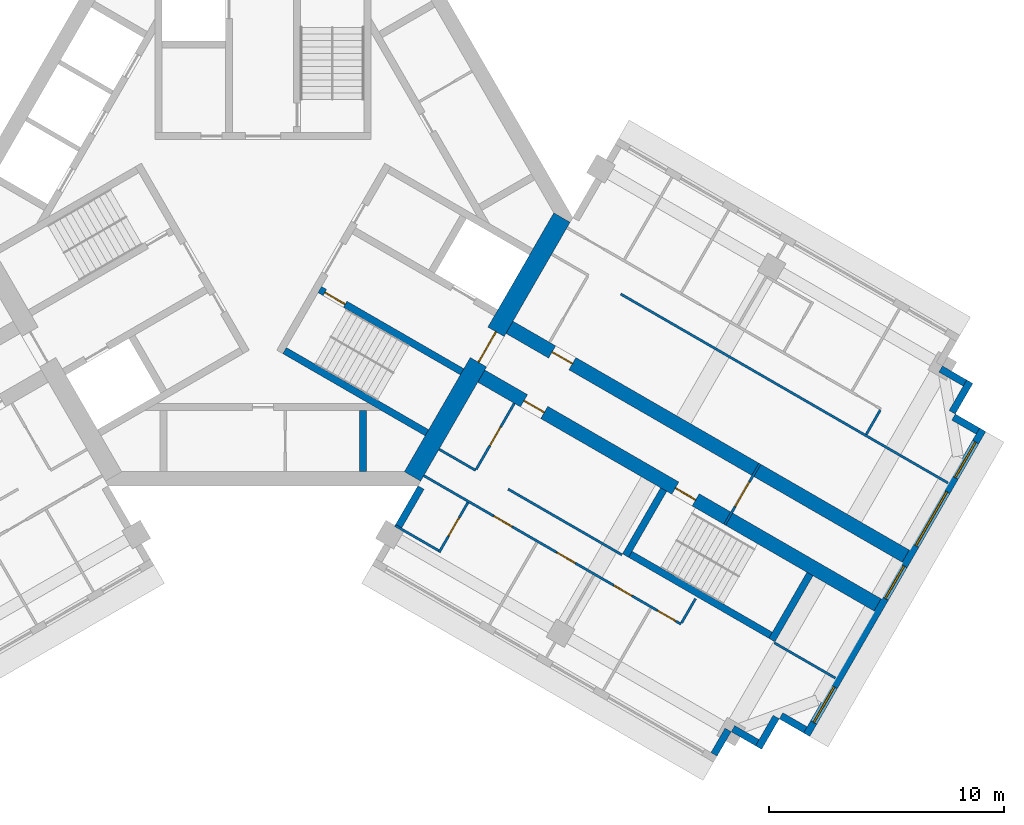
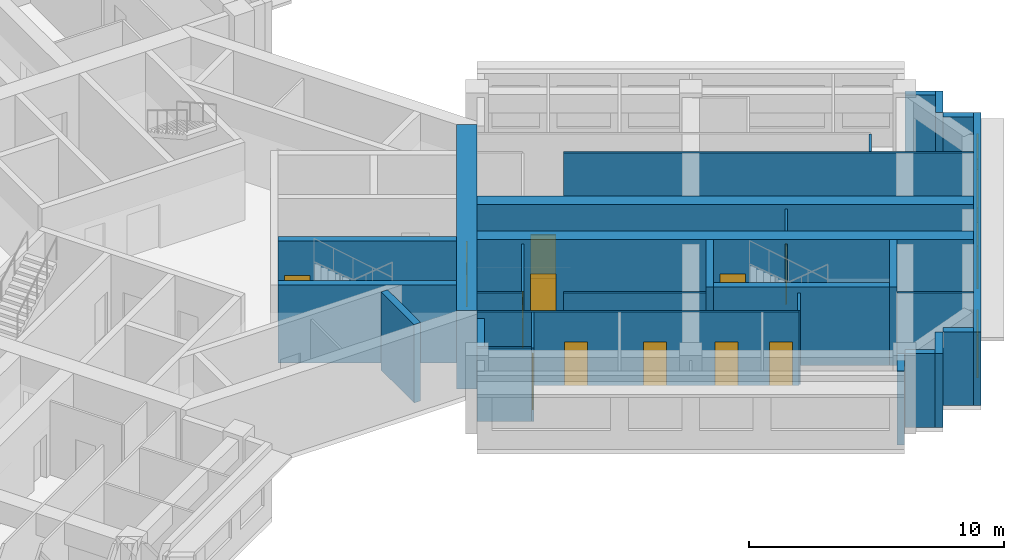
# One storey, part 5 of 10: 29 walls, 12 doors, 4 windows, 16 openings.
"""IFC4 building model written with IfcOpenShell, lengths in metres."""

from ifc_helpers import new_model, si_unit, direction, frame, frame_2d, origin, place, context, subcontext, project, spatial, rectangle, extrude, material, layer, layer_set, type_object, element, fill, save


model = new_model("IFC4")

# Units and contexts
model_context = context("Model", 3, precision=1e-05, world=origin(), true_north=direction((0.0, 1.0)))
body_context = subcontext(model_context, "Body", "Model", "MODEL_VIEW")
ifc_project = project(units=[si_unit("LENGTHUNIT", "METRE"), si_unit("AREAUNIT", "SQUARE_METRE"), si_unit("VOLUMEUNIT", "CUBIC_METRE"), si_unit("PLANEANGLEUNIT", "RADIAN"), si_unit("MASSUNIT", "GRAM", prefix="KILO")], contexts=[model_context])

# Site, building, storey
site_placement = place(None, origin())
site = spatial("IfcSite", under=ifc_project, at=site_placement, CompositionType="ELEMENT")
building_placement = place(site_placement, origin())
building = spatial("IfcBuilding", under=site, at=building_placement, Name="Impinga Residences", CompositionType="ELEMENT")
storey_placement = place(building_placement, frame((0.0, 0.0, 271.0)))
storey = spatial("IfcBuildingStorey", under=building, at=storey_placement, Name="L68", CompositionType="ELEMENT", Elevation=271.0)

# Wall, opening, door
ifc_material_1 = material(Name="Concrete C60/75", Category="concrete")
ifc_layer_1 = layer(ifc_material_1, 0.60009765625)
ifc_layer_set_1 = layer_set([ifc_layer_1], Name="Concrete C60/75")
wall_type_1 = type_object("IfcWallType", Name="BW3 corridor buttress wall, L46 to L73 600", PredefinedType="SHEAR", material=ifc_layer_set_1)
wall_1_placement = place(storey_placement, frame((10.153564453125, -4.4765625, 0.0), z_axis=(0.0, 0.0, 1.0), x_axis=(0.866026229868, -0.499998569178, 0.0)))
wall_1 = element("IfcWall", 1, at=wall_1_placement, inside=storey, type_object=wall_type_1, Name="Corridor wall BW3 EC L68", PredefinedType="SHEAR", context=body_context, shape_type="SweptSolid", body=[
    extrude(rectangle(XDim=19.89990234375, YDim=0.60009765625, at=frame_2d((9.949951171875, 0.0))), origin(), (0.0, 0.0, 1.0), 3.75),
])
opening_1_placement = place(wall_1_placement, frame((2.5, 0.0, 0.0)))
opening_1 = element("IfcOpeningElement", 2, at=opening_1_placement, cuts=wall_1, Name="Opening D1", PredefinedType="OPENING", context=body_context, shape_type="SweptSolid", body=[
    extrude(rectangle(XDim=1.0, YDim=2.10009765625, at=frame_2d((0.5, 1.050048828125))), frame((0.0, 0.31005859375, 0.0), z_axis=(0.0, -1.0, 0.0), x_axis=(1.0, 0.0, 0.0)), (0.0, 0.0, 1.0), 0.6201171875),
])
ifc_material_2 = material(Name="Timber door set", Category="wood")
door_type_1 = type_object("IfcDoorType", Name="D1 apartment entrance door 1000x2100", OperationType="SINGLE_SWING_LEFT", PredefinedType="DOOR", material=ifc_material_2)
door_1_placement = place(opening_1_placement, origin())
door_1 = element("IfcDoor", 3, at=door_1_placement, inside=storey, type_object=door_type_1, Name="Apartment L68-EA1 entrance", OperationType="SINGLE_SWING_LEFT", OverallHeight=2.10009765625, OverallWidth=1.0, PredefinedType="DOOR", context=body_context, shape_type="SweptSolid", body=[
    extrude(rectangle(XDim=1.0, YDim=2.10009765625, at=frame_2d((0.5, 1.050048828125))), frame((0.0, 0.02490234375, 0.0), z_axis=(0.0, -1.0, 0.0), x_axis=(1.0, 0.0, 0.0)), (0.0, 0.0, 1.0), 0.050048828125),
])
fill(opening_1, door_1)

# Wall, openings, doors
wall_2_placement = place(storey_placement, frame((8.95361328125, -6.554931640625, 0.0), z_axis=(0.0, 0.0, 1.0), x_axis=(0.866026229868, -0.499998569178, 0.0)))
wall_2 = element("IfcWall", 4, at=wall_2_placement, inside=storey, type_object=wall_type_1, Name="Corridor wall BW3 ED L68", PredefinedType="SHEAR", context=body_context, shape_type="SweptSolid", body=[
    extrude(rectangle(XDim=19.89990234375, YDim=0.60009765625, at=frame_2d((9.949951171875, 0.0))), origin(), (0.0, 0.0, 1.0), 3.75),
])
opening_2_placement = place(wall_2_placement, frame((9.949951171875, 0.0, 0.0)))
opening_2 = element("IfcOpeningElement", 5, at=opening_2_placement, cuts=wall_2, Name="Opening D5", PredefinedType="OPENING", context=body_context, shape_type="SweptSolid", body=[
    extrude(rectangle(XDim=1.0, YDim=2.10009765625, at=frame_2d((0.5, 1.050048828125))), frame((0.0, 0.31005859375, 0.0), z_axis=(0.0, -1.0, 0.0), x_axis=(1.0, 0.0, 0.0)), (0.0, 0.0, 1.0), 0.6201171875),
])
opening_3_placement = place(wall_2_placement, frame((2.5, 0.0, 0.0)))
opening_3 = element("IfcOpeningElement", 6, at=opening_3_placement, cuts=wall_2, Name="Opening D1", PredefinedType="OPENING", context=body_context, shape_type="SweptSolid", body=[
    extrude(rectangle(XDim=1.0, YDim=2.10009765625, at=frame_2d((0.5, 1.050048828125))), frame((0.0, 0.31005859375, 0.0), z_axis=(0.0, -1.0, 0.0), x_axis=(1.0, 0.0, 0.0)), (0.0, 0.0, 1.0), 0.6201171875),
])
door_2_placement = place(opening_3_placement, origin())
door_2 = element("IfcDoor", 7, at=door_2_placement, inside=storey, type_object=door_type_1, Name="Apartment L68-EF1 entrance", OperationType="SINGLE_SWING_LEFT", OverallHeight=2.10009765625, OverallWidth=1.0, PredefinedType="DOOR", context=body_context, shape_type="SweptSolid", body=[
    extrude(rectangle(XDim=1.0, YDim=2.10009765625, at=frame_2d((0.5, 1.050048828125))), frame((0.0, 0.02490234375, 0.0), z_axis=(0.0, -1.0, 0.0), x_axis=(1.0, 0.0, 0.0)), (0.0, 0.0, 1.0), 0.050048828125),
])
fill(opening_3, door_2)
door_type_2 = type_object("IfcDoorType", Name="D5 stair door 1000x2100", OperationType="SINGLE_SWING_LEFT", PredefinedType="DOOR", material=ifc_material_2)
door_3_placement = place(opening_2_placement, origin())
door_3 = element("IfcDoor", 8, at=door_3_placement, inside=storey, type_object=door_type_2, Name="Wing stair door E", OperationType="SINGLE_SWING_RIGHT", OverallHeight=2.10009765625, OverallWidth=1.0, PredefinedType="DOOR", context=body_context, shape_type="SweptSolid", body=[
    extrude(rectangle(XDim=1.0, YDim=2.10009765625, at=frame_2d((0.5, 1.050048828125))), frame((0.0, 0.02490234375, 0.0), z_axis=(0.0, -1.0, 0.0), x_axis=(1.0, 0.0, 0.0)), (0.0, 0.0, 1.0), 0.050048828125),
])
fill(opening_2, door_3)

# Wall, opening, door
ifc_material_3 = material(Name="Concrete blockwork", Category="masonry")
ifc_layer_2 = layer(ifc_material_3, 0.10009765625)
ifc_layer_set_2 = layer_set([ifc_layer_2], Name="CP1 core room partition, blockwork 100")
wall_type_2 = type_object("IfcWallType", Name="CP1 core room partition, blockwork 100", PredefinedType="PARTITIONING", material=ifc_layer_set_2)
wall_3_placement = place(storey_placement, frame((21.172119140625, -10.49169921875, 0.0), z_axis=(0.0, 0.0, 1.0), x_axis=(-0.499990139034, -0.866031096941, 0.0)))
wall_3 = element("IfcWall", 9, at=wall_3_placement, inside=storey, type_object=wall_type_2, Name="Core room partition, blockwork L68:E:LNG", PredefinedType="PARTITIONING", context=body_context, shape_type="SweptSolid", body=[
    extrude(rectangle(XDim=3.0, YDim=0.10009765625, at=frame_2d((1.5, 0.0))), origin(), (0.0, 0.0, 1.0), 3.530029296875),
])
opening_4_placement = place(wall_3_placement, frame((0.89990234375, 0.0, 0.0)))
opening_4 = element("IfcOpeningElement", 10, at=opening_4_placement, cuts=wall_3, Name="Opening D3", PredefinedType="OPENING", context=body_context, shape_type="SweptSolid", body=[
    extrude(rectangle(XDim=1.199951171875, YDim=2.10009765625, at=frame_2d((0.60009765625, 1.050048828125))), frame((0.0, 0.06005859375, 0.0), z_axis=(0.0, -1.0, 0.0), x_axis=(1.0, 0.0, 0.0)), (0.0, 0.0, 1.0), 0.1201171875),
])
door_type_3 = type_object("IfcDoorType", Name="D3 room door, leaf and a half 1200x2100", OperationType="DOUBLE_SWING_LEFT", PredefinedType="DOOR", material=ifc_material_2)
door_4_placement = place(opening_4_placement, origin())
door_4 = element("IfcDoor", 11, at=door_4_placement, inside=storey, type_object=door_type_3, Name="Residents' lounge door E", OperationType="DOUBLE_SWING_LEFT", OverallHeight=2.10009765625, OverallWidth=1.199951171875, PredefinedType="DOOR", context=body_context, shape_type="SweptSolid", body=[
    extrude(rectangle(XDim=1.199951171875, YDim=2.10009765625, at=frame_2d((0.60009765625, 1.050048828125))), frame((0.0, 0.02490234375, 0.0), z_axis=(0.0, -1.0, 0.0), x_axis=(1.0, 0.0, 0.0)), (0.0, 0.0, 1.0), 0.050048828125),
])
fill(opening_4, door_4)

# Walls
ifc_material_4 = material(Name="Terracotta rainscreen on blockwork", Category="masonry")
ifc_layer_3 = layer(ifc_material_4, 0.300048828125)
ifc_layer_set_3 = layer_set([ifc_layer_3], Name="EW1 external wall, terracotta rainscreen on blockwork 300")
wall_type_3 = type_object("IfcWallType", Name="EW1 external wall, terracotta rainscreen on blockwork 300", PredefinedType="SOLIDWALL", material=ifc_layer_set_3)
wall_4_placement = place(storey_placement, frame((28.878662109375, -6.453857421875, 0.0), z_axis=(0.0, 0.0, 1.0), x_axis=(0.865971243484, -0.500093796661, 0.0)))
element("IfcWall", 12, at=wall_4_placement, inside=storey, type_object=wall_type_3, Name="External wall EW1 L68", PredefinedType="SOLIDWALL", context=body_context, shape_type="SweptSolid", body=[
    extrude(rectangle(XDim=1.195068359375, YDim=0.300048828125, at=frame_2d((0.59765625, 0.0))), origin(), (0.0, 0.0, 1.0), 3.530029296875),
])
wall_5_placement = place(storey_placement, frame((30.118408203125, -6.99658203125, 0.0), z_axis=(0.0, 0.0, 1.0), x_axis=(-0.499990139034, -0.866031096941, 0.0)))
element("IfcWall", 13, at=wall_5_placement, inside=storey, type_object=wall_type_3, Name="External wall EW1 L68", PredefinedType="SOLIDWALL", context=body_context, shape_type="SweptSolid", body=[
    extrude(rectangle(XDim=1.5, YDim=0.300048828125, at=frame_2d((0.75, 0.0))), origin(), (0.0, 0.0, 1.0), 3.530029296875),
])
wall_6_placement = place(storey_placement, frame((29.427490234375, -8.5029296875, 0.0), z_axis=(0.0, 0.0, 1.0), x_axis=(0.865971243484, -0.500093796661, 0.0)))
element("IfcWall", 14, at=wall_6_placement, inside=storey, type_object=wall_type_3, Name="External wall EW1 L68", PredefinedType="SOLIDWALL", context=body_context, shape_type="SweptSolid", body=[
    extrude(rectangle(XDim=1.195068359375, YDim=0.300048828125, at=frame_2d((0.59765625, 0.0))), origin(), (0.0, 0.0, 1.0), 3.530029296875),
])

# Wall, openings, windows
wall_7_placement = place(storey_placement, frame((30.66748046875, -9.045654296875, 0.0), z_axis=(0.0, 0.0, 1.0), x_axis=(-0.500004234368, -0.866022959057, 0.0)))
wall_7 = element("IfcWall", 15, at=wall_7_placement, inside=storey, type_object=wall_type_3, Name="External wall EW1 L68", PredefinedType="SOLIDWALL", context=body_context, shape_type="SweptSolid", body=[
    extrude(rectangle(XDim=14.999755859375, YDim=0.300048828125, at=frame_2d((7.5, 0.0))), origin(), (0.0, 0.0, 1.0), 3.530029296875),
])
opening_5_placement = place(wall_7_placement, frame((0.60009765625, 0.0, 0.89990234375)))
opening_5 = element("IfcOpeningElement", 16, at=opening_5_placement, cuts=wall_7, Name="Opening W1", PredefinedType="OPENING", context=body_context, shape_type="SweptSolid", body=[
    extrude(rectangle(XDim=1.75, YDim=2.050048828125, at=frame_2d((0.875, 1.02490234375))), frame((0.0, 0.159912109375, 0.0), z_axis=(0.0, -1.0, 0.0), x_axis=(1.0, 0.0, 0.0)), (0.0, 0.0, 1.0), 0.320068359375),
])
opening_6_placement = place(wall_7_placement, frame((3.050048828125, 0.0, 0.89990234375)))
opening_6 = element("IfcOpeningElement", 17, at=opening_6_placement, cuts=wall_7, Name="Opening W18", PredefinedType="OPENING", context=body_context, shape_type="SweptSolid", body=[
    extrude(rectangle(XDim=2.64990234375, YDim=2.050048828125, at=frame_2d((1.324951171875, 1.02490234375))), frame((0.0, 0.159912109375, 0.0), z_axis=(0.0, -1.0, 0.0), x_axis=(1.0, 0.0, 0.0)), (0.0, 0.0, 1.0), 0.320068359375),
])
opening_7_placement = place(wall_7_placement, frame((6.699951171875, 0.0, 0.89990234375)))
opening_7 = element("IfcOpeningElement", 18, at=opening_7_placement, cuts=wall_7, Name="Opening W19", PredefinedType="OPENING", context=body_context, shape_type="SweptSolid", body=[
    extrude(rectangle(XDim=1.60009765625, YDim=2.050048828125, at=frame_2d((0.800048828125, 1.02490234375))), frame((0.0, 0.159912109375, 0.0), z_axis=(0.0, -1.0, 0.0), x_axis=(1.0, 0.0, 0.0)), (0.0, 0.0, 1.0), 0.320068359375),
])
opening_8_placement = place(wall_7_placement, frame((12.64990234375, 0.0, 0.89990234375)))
opening_8 = element("IfcOpeningElement", 19, at=opening_8_placement, cuts=wall_7, Name="Opening W1", PredefinedType="OPENING", context=body_context, shape_type="SweptSolid", body=[
    extrude(rectangle(XDim=1.75, YDim=2.050048828125, at=frame_2d((0.875, 1.02490234375))), frame((0.0, 0.159912109375, 0.0), z_axis=(0.0, -1.0, 0.0), x_axis=(1.0, 0.0, 0.0)), (0.0, 0.0, 1.0), 0.320068359375),
])
ifc_material_5 = material(Name="Aluminium window, clear double glazing", Category="aluminium")
window_type_1 = type_object("IfcWindowType", Name="W1 ribbon window 1750x2050", PartitioningType="SINGLE_PANEL", PredefinedType="WINDOW", material=ifc_material_5)
window_1_placement = place(opening_5_placement, origin())
window_1 = element("IfcWindow", 20, at=window_1_placement, inside=storey, type_object=window_type_1, Name="Window L68", OverallHeight=2.050048828125, OverallWidth=1.75, PartitioningType="SINGLE_PANEL", PredefinedType="WINDOW", context=body_context, shape_type="SweptSolid", body=[
    extrude(rectangle(XDim=1.75, YDim=2.050048828125, at=frame_2d((0.875, 1.02490234375))), frame((0.0, 0.030029296875, 0.0), z_axis=(0.0, -1.0, 0.0), x_axis=(1.0, 0.0, 0.0)), (0.0, 0.0, 1.0), 0.06005859375),
])
fill(opening_5, window_1)
window_2_placement = place(opening_8_placement, origin())
window_2 = element("IfcWindow", 21, at=window_2_placement, inside=storey, type_object=window_type_1, Name="Window L68", OverallHeight=2.050048828125, OverallWidth=1.75, PartitioningType="SINGLE_PANEL", PredefinedType="WINDOW", context=body_context, shape_type="SweptSolid", body=[
    extrude(rectangle(XDim=1.75, YDim=2.050048828125, at=frame_2d((0.875, 1.02490234375))), frame((0.0, 0.030029296875, 0.0), z_axis=(0.0, -1.0, 0.0), x_axis=(1.0, 0.0, 0.0)), (0.0, 0.0, 1.0), 0.06005859375),
])
fill(opening_8, window_2)
window_type_2 = type_object("IfcWindowType", Name="W18 ribbon window 2650x2050", PartitioningType="SINGLE_PANEL", PredefinedType="WINDOW", material=ifc_material_5)
window_3_placement = place(opening_6_placement, origin())
window_3 = element("IfcWindow", 22, at=window_3_placement, inside=storey, type_object=window_type_2, Name="Window L68", OverallHeight=2.050048828125, OverallWidth=2.64990234375, PartitioningType="SINGLE_PANEL", PredefinedType="WINDOW", context=body_context, shape_type="SweptSolid", body=[
    extrude(rectangle(XDim=2.64990234375, YDim=2.050048828125, at=frame_2d((1.324951171875, 1.02490234375))), frame((0.0, 0.030029296875, 0.0), z_axis=(0.0, -1.0, 0.0), x_axis=(1.0, 0.0, 0.0)), (0.0, 0.0, 1.0), 0.06005859375),
])
fill(opening_6, window_3)
window_type_3 = type_object("IfcWindowType", Name="W19 ribbon window 1600x2050", PartitioningType="SINGLE_PANEL", PredefinedType="WINDOW", material=ifc_material_5)
window_4_placement = place(opening_7_placement, origin())
window_4 = element("IfcWindow", 23, at=window_4_placement, inside=storey, type_object=window_type_3, Name="Window L68", OverallHeight=2.050048828125, OverallWidth=1.60009765625, PartitioningType="SINGLE_PANEL", PredefinedType="WINDOW", context=body_context, shape_type="SweptSolid", body=[
    extrude(rectangle(XDim=1.60009765625, YDim=2.050048828125, at=frame_2d((0.800048828125, 1.02490234375))), frame((0.0, 0.030029296875, 0.0), z_axis=(0.0, -1.0, 0.0), x_axis=(1.0, 0.0, 0.0)), (0.0, 0.0, 1.0), 0.06005859375),
])
fill(opening_7, window_4)

# Walls
wall_8_placement = place(storey_placement, frame((23.112548828125, -21.8310546875, 0.0), z_axis=(0.0, 0.0, 1.0), x_axis=(-0.866059708757, 0.499940577336, 0.0)))
element("IfcWall", 24, at=wall_8_placement, inside=storey, type_object=wall_type_3, Name="External wall EW1 L68", PredefinedType="SOLIDWALL", context=body_context, shape_type="SweptSolid", body=[
    extrude(rectangle(XDim=1.195068359375, YDim=0.300048828125, at=frame_2d((0.59765625, 0.0))), origin(), (0.0, 0.0, 1.0), 3.530029296875),
])
wall_9_placement = place(storey_placement, frame((21.868408203125, -21.285888671875, 0.0), z_axis=(0.0, 0.0, 1.0), x_axis=(-0.499990139034, -0.866031096941, 0.0)))
element("IfcWall", 25, at=wall_9_placement, inside=storey, type_object=wall_type_3, Name="External wall EW1 L68", PredefinedType="SOLIDWALL", context=body_context, shape_type="SweptSolid", body=[
    extrude(rectangle(XDim=1.5, YDim=0.300048828125, at=frame_2d((0.75, 0.0))), origin(), (0.0, 0.0, 1.0), 3.530029296875),
])
wall_10_placement = place(storey_placement, frame((21.0634765625, -22.380126953125, 0.0), z_axis=(0.0, 0.0, 1.0), x_axis=(-0.865971243484, 0.500093796661, 0.0)))
element("IfcWall", 26, at=wall_10_placement, inside=storey, type_object=wall_type_3, Name="External wall EW1 L68", PredefinedType="SOLIDWALL", context=body_context, shape_type="SweptSolid", body=[
    extrude(rectangle(XDim=1.195068359375, YDim=0.300048828125, at=frame_2d((0.59765625, 0.0))), origin(), (0.0, 0.0, 1.0), 3.530029296875),
])
wall_11_placement = place(storey_placement, frame((19.8193359375, -21.8349609375, 0.0), z_axis=(0.0, 0.0, 1.0), x_axis=(-0.500033551112, -0.866006032174, 0.0)))
element("IfcWall", 27, at=wall_11_placement, inside=storey, type_object=wall_type_3, Name="External wall EW1 L68", PredefinedType="SOLIDWALL", context=body_context, shape_type="SweptSolid", body=[
    extrude(rectangle(XDim=1.2001953125, YDim=0.300048828125, at=frame_2d((0.60009765625, 0.0))), origin(), (0.0, 0.0, 1.0), 3.530029296875),
])
wall_12_placement = place(storey_placement, frame((5.7548828125, -13.1953125, 0.0), z_axis=(0.0, 0.0, 1.0), x_axis=(0.500043961785, 0.866000020948, 0.0)))
element("IfcWall", 28, at=wall_12_placement, inside=storey, type_object=wall_type_3, Name="External wall EW1 L68", PredefinedType="SOLIDWALL", context=body_context, shape_type="SweptSolid", body=[
    extrude(rectangle(XDim=1.949951171875, YDim=0.300048828125, at=frame_2d((0.97509765625, 0.0))), origin(), (0.0, 0.0, 1.0), 3.530029296875),
])
ifc_material_6 = material(Name="Gypsum board on steel studs", Category="steel")
ifc_layer_4 = layer(ifc_material_6, 0.10009765625)
ifc_layer_set_4 = layer_set([ifc_layer_4], Name="Gypsum board on steel studs")
wall_type_4 = type_object("IfcWallType", Name="IP1 partition 100", PredefinedType="PARTITIONING", material=ifc_layer_set_4)
wall_13_placement = place(storey_placement, frame((15.244384765625, -3.2587890625, 0.0), z_axis=(0.0, 0.0, 1.0), x_axis=(0.866025740127, -0.499999417437, 0.0)))
element("IfcWall", 29, at=wall_13_placement, inside=storey, type_object=wall_type_4, Name="Partition L68-EA1:DIV1", PredefinedType="PARTITIONING", context=body_context, shape_type="SweptSolid", body=[
    extrude(rectangle(XDim=16.10009765625, YDim=0.10009765625, at=frame_2d((8.050048828125, 0.0))), origin(), (0.0, 0.0, 1.0), 3.530029296875),
])
wall_14_placement = place(storey_placement, frame((25.705078125, -9.240478515625, 0.0), z_axis=(0.0, 0.0, 1.0), x_axis=(0.50012165622, 0.865955154139, 0.0)))
element("IfcWall", 30, at=wall_14_placement, inside=storey, type_object=wall_type_4, Name="Partition L68-EA1:SE1", PredefinedType="PARTITIONING", context=body_context, shape_type="SweptSolid", body=[
    extrude(rectangle(XDim=1.199951171875, YDim=0.10009765625, at=frame_2d((0.60009765625, 0.0))), origin(), (0.0, 0.0, 1.0), 3.530029296875),
])
wall_15_placement = place(storey_placement, frame((7.5, -9.872802734375, 0.0), z_axis=(0.0, 0.0, 1.0), x_axis=(0.866047807691, -0.499961193289, 0.0)))
element("IfcWall", 31, at=wall_15_placement, inside=storey, type_object=wall_type_4, Name="Partition L68-EF1:DIV0", PredefinedType="PARTITIONING", context=body_context, shape_type="SweptSolid", body=[
    extrude(rectangle(XDim=1.800048828125, YDim=0.10009765625, at=frame_2d((0.89990234375, 0.0))), origin(), (0.0, 0.0, 1.0), 3.530029296875),
])
wall_16_placement = place(storey_placement, frame((10.444580078125, -11.57275390625, 0.0), z_axis=(0.0, 0.0, 1.0), x_axis=(0.866015695474, -0.500016814911, 0.0)))
element("IfcWall", 32, at=wall_16_placement, inside=storey, type_object=wall_type_4, Name="Partition L68-EF1:DIV1", PredefinedType="PARTITIONING", context=body_context, shape_type="SweptSolid", body=[
    extrude(rectangle(XDim=5.599853515625, YDim=0.10009765625, at=frame_2d((2.7998046875, 0.0))), origin(), (0.0, 0.0, 1.0), 3.530029296875),
])
wall_17_placement = place(storey_placement, frame((21.789306640625, -18.122802734375, 0.0), z_axis=(0.0, 0.0, 1.0), x_axis=(0.866031096941, -0.499990139034, 0.0)))
element("IfcWall", 33, at=wall_17_placement, inside=storey, type_object=wall_type_4, Name="Partition L68-EF1:DIV2", PredefinedType="PARTITIONING", context=body_context, shape_type="SweptSolid", body=[
    extrude(rectangle(XDim=3.0, YDim=0.10009765625, at=frame_2d((1.5, 0.0))), origin(), (0.0, 0.0, 1.0), 3.530029296875),
])

# Wall, openings, doors
wall_18_placement = place(storey_placement, frame((6.85009765625, -10.99853515625, 0.0), z_axis=(0.0, 0.0, 1.0), x_axis=(0.866024244478, -0.500002007972, 0.0)))
wall_18 = element("IfcWall", 34, at=wall_18_placement, inside=storey, type_object=wall_type_4, Name="Partition L68-EF1:STRIP", PredefinedType="PARTITIONING", context=body_context, shape_type="SweptSolid", body=[
    extrude(rectangle(XDim=12.64990234375, YDim=0.10009765625, at=frame_2d((6.324951171875, 0.0))), origin(), (0.0, 0.0, 1.0), 3.530029296875),
])
opening_9_placement = place(wall_18_placement, frame((3.449951171875, 0.0, 0.0)))
opening_9 = element("IfcOpeningElement", 35, at=opening_9_placement, cuts=wall_18, Name="Opening D2", PredefinedType="OPENING", context=body_context, shape_type="SweptSolid", body=[
    extrude(rectangle(XDim=0.89990234375, YDim=2.10009765625, at=frame_2d((0.449951171875, 1.050048828125))), frame((0.0, 0.06005859375, 0.0), z_axis=(0.0, -1.0, 0.0), x_axis=(1.0, 0.0, 0.0)), (0.0, 0.0, 1.0), 0.1201171875),
])
opening_10_placement = place(wall_18_placement, frame((6.550048828125, 0.0, 0.0)))
opening_10 = element("IfcOpeningElement", 36, at=opening_10_placement, cuts=wall_18, Name="Opening D2", PredefinedType="OPENING", context=body_context, shape_type="SweptSolid", body=[
    extrude(rectangle(XDim=0.89990234375, YDim=2.10009765625, at=frame_2d((0.449951171875, 1.050048828125))), frame((0.0, 0.06005859375, 0.0), z_axis=(0.0, -1.0, 0.0), x_axis=(1.0, 0.0, 0.0)), (0.0, 0.0, 1.0), 0.1201171875),
])
opening_11_placement = place(wall_18_placement, frame((9.35009765625, 0.0, 0.0)))
opening_11 = element("IfcOpeningElement", 37, at=opening_11_placement, cuts=wall_18, Name="Opening D2", PredefinedType="OPENING", context=body_context, shape_type="SweptSolid", body=[
    extrude(rectangle(XDim=0.89990234375, YDim=2.10009765625, at=frame_2d((0.449951171875, 1.050048828125))), frame((0.0, 0.06005859375, 0.0), z_axis=(0.0, -1.0, 0.0), x_axis=(1.0, 0.0, 0.0)), (0.0, 0.0, 1.0), 0.1201171875),
])
opening_12_placement = place(wall_18_placement, frame((11.5, 0.0, 0.0)))
opening_12 = element("IfcOpeningElement", 38, at=opening_12_placement, cuts=wall_18, Name="Opening D2", PredefinedType="OPENING", context=body_context, shape_type="SweptSolid", body=[
    extrude(rectangle(XDim=0.89990234375, YDim=2.10009765625, at=frame_2d((0.449951171875, 1.050048828125))), frame((0.0, 0.06005859375, 0.0), z_axis=(0.0, -1.0, 0.0), x_axis=(1.0, 0.0, 0.0)), (0.0, 0.0, 1.0), 0.1201171875),
])
door_type_4 = type_object("IfcDoorType", Name="D2 internal door 900x2100", OperationType="SINGLE_SWING_LEFT", PredefinedType="DOOR", material=ifc_material_2)
door_5_placement = place(opening_9_placement, origin())
door_5 = element("IfcDoor", 39, at=door_5_placement, inside=storey, type_object=door_type_4, Name="Apartment L68-EF1 room door", OperationType="SINGLE_SWING_LEFT", OverallHeight=2.10009765625, OverallWidth=0.89990234375, PredefinedType="DOOR", context=body_context, shape_type="SweptSolid", body=[
    extrude(rectangle(XDim=0.89990234375, YDim=2.10009765625, at=frame_2d((0.449951171875, 1.050048828125))), frame((0.0, 0.02490234375, 0.0), z_axis=(0.0, -1.0, 0.0), x_axis=(1.0, 0.0, 0.0)), (0.0, 0.0, 1.0), 0.050048828125),
])
fill(opening_9, door_5)
door_6_placement = place(opening_10_placement, origin())
door_6 = element("IfcDoor", 40, at=door_6_placement, inside=storey, type_object=door_type_4, Name="Apartment L68-EF1 room door", OperationType="SINGLE_SWING_RIGHT", OverallHeight=2.10009765625, OverallWidth=0.89990234375, PredefinedType="DOOR", context=body_context, shape_type="SweptSolid", body=[
    extrude(rectangle(XDim=0.89990234375, YDim=2.10009765625, at=frame_2d((0.449951171875, 1.050048828125))), frame((0.0, 0.02490234375, 0.0), z_axis=(0.0, -1.0, 0.0), x_axis=(1.0, 0.0, 0.0)), (0.0, 0.0, 1.0), 0.050048828125),
])
fill(opening_10, door_6)
door_7_placement = place(opening_11_placement, origin())
door_7 = element("IfcDoor", 41, at=door_7_placement, inside=storey, type_object=door_type_4, Name="Apartment L68-EF1 room door", OperationType="SINGLE_SWING_RIGHT", OverallHeight=2.10009765625, OverallWidth=0.89990234375, PredefinedType="DOOR", context=body_context, shape_type="SweptSolid", body=[
    extrude(rectangle(XDim=0.89990234375, YDim=2.10009765625, at=frame_2d((0.449951171875, 1.050048828125))), frame((0.0, 0.02490234375, 0.0), z_axis=(0.0, -1.0, 0.0), x_axis=(1.0, 0.0, 0.0)), (0.0, 0.0, 1.0), 0.050048828125),
])
fill(opening_11, door_7)
door_8_placement = place(opening_12_placement, origin())
door_8 = element("IfcDoor", 42, at=door_8_placement, inside=storey, type_object=door_type_4, Name="Apartment L68-EF1 room door", OperationType="SINGLE_SWING_RIGHT", OverallHeight=2.10009765625, OverallWidth=0.89990234375, PredefinedType="DOOR", context=body_context, shape_type="SweptSolid", body=[
    extrude(rectangle(XDim=0.89990234375, YDim=2.10009765625, at=frame_2d((0.449951171875, 1.050048828125))), frame((0.0, 0.02490234375, 0.0), z_axis=(0.0, -1.0, 0.0), x_axis=(1.0, 0.0, 0.0)), (0.0, 0.0, 1.0), 0.050048828125),
])
fill(opening_12, door_8)

# Wall
wall_19_placement = place(storey_placement, frame((18.43017578125, -16.240966796875, 0.0), z_axis=(0.0, 0.0, 1.0), x_axis=(-0.499880961361, -0.866094119867, 0.0)))
element("IfcWall", 43, at=wall_19_placement, inside=storey, type_object=wall_type_4, Name="Partition L68-EF1:SE1", PredefinedType="PARTITIONING", context=body_context, shape_type="SweptSolid", body=[
    extrude(rectangle(XDim=1.199951171875, YDim=0.10009765625, at=frame_2d((0.60009765625, 0.0))), origin(), (0.0, 0.0, 1.0), 3.530029296875),
])

# Wall, opening, door
wall_20_placement = place(storey_placement, frame((10.708740234375, -7.914794921875, 0.0), z_axis=(0.0, 0.0, 1.0), x_axis=(-0.499984717929, -0.866034226713, 0.0)))
wall_20 = element("IfcWall", 44, at=wall_20_placement, inside=storey, type_object=wall_type_4, Name="Partition L68-EF1:IB1", PredefinedType="PARTITIONING", context=body_context, shape_type="SweptSolid", body=[
    extrude(rectangle(XDim=3.25, YDim=0.10009765625, at=frame_2d((1.625, 0.0))), origin(), (0.0, 0.0, 1.0), 3.530029296875),
])
opening_13_placement = place(wall_20_placement, frame((1.175048828125, 0.0, 0.0)))
opening_13 = element("IfcOpeningElement", 45, at=opening_13_placement, cuts=wall_20, Name="Opening D2", PredefinedType="OPENING", context=body_context, shape_type="SweptSolid", body=[
    extrude(rectangle(XDim=0.89990234375, YDim=2.10009765625, at=frame_2d((0.449951171875, 1.050048828125))), frame((0.0, 0.06005859375, 0.0), z_axis=(0.0, -1.0, 0.0), x_axis=(1.0, 0.0, 0.0)), (0.0, 0.0, 1.0), 0.1201171875),
])
door_9_placement = place(opening_13_placement, origin())
door_9 = element("IfcDoor", 46, at=door_9_placement, inside=storey, type_object=door_type_4, Name="Apartment L68-EF1 bathroom door", OperationType="SINGLE_SWING_LEFT", OverallHeight=2.10009765625, OverallWidth=0.89990234375, PredefinedType="DOOR", context=body_context, shape_type="SweptSolid", body=[
    extrude(rectangle(XDim=0.89990234375, YDim=2.10009765625, at=frame_2d((0.449951171875, 1.050048828125))), frame((0.0, 0.02490234375, 0.0), z_axis=(0.0, -1.0, 0.0), x_axis=(1.0, 0.0, 0.0)), (0.0, 0.0, 1.0), 0.050048828125),
])
fill(opening_13, door_9)

wall_21_placement = place(storey_placement, frame((8.730224609375, -12.141845703125, 0.0), z_axis=(0.0, 0.0, 1.0), x_axis=(-0.499943856944, -0.866057815567, 0.0)))
wall_21 = element("IfcWall", 47, at=wall_21_placement, inside=storey, type_object=wall_type_4, Name="Partition L68-EF1:EN1", PredefinedType="PARTITIONING", context=body_context, shape_type="SweptSolid", body=[
    extrude(rectangle(XDim=2.449951171875, YDim=0.10009765625, at=frame_2d((1.22509765625, 0.0))), origin(), (0.0, 0.0, 1.0), 3.530029296875),
])
opening_14_placement = place(wall_21_placement, frame((0.75, 0.0, 0.0)))
opening_14 = element("IfcOpeningElement", 48, at=opening_14_placement, cuts=wall_21, Name="Opening D2", PredefinedType="OPENING", context=body_context, shape_type="SweptSolid", body=[
    extrude(rectangle(XDim=0.89990234375, YDim=2.10009765625, at=frame_2d((0.449951171875, 1.050048828125))), frame((0.0, 0.06005859375, 0.0), z_axis=(0.0, -1.0, 0.0), x_axis=(1.0, 0.0, 0.0)), (0.0, 0.0, 1.0), 0.1201171875),
])
door_10_placement = place(opening_14_placement, origin())
door_10 = element("IfcDoor", 49, at=door_10_placement, inside=storey, type_object=door_type_4, Name="Apartment L68-EF1 en-suite door", OperationType="SINGLE_SWING_LEFT", OverallHeight=2.10009765625, OverallWidth=0.89990234375, PredefinedType="DOOR", context=body_context, shape_type="SweptSolid", body=[
    extrude(rectangle(XDim=0.89990234375, YDim=2.10009765625, at=frame_2d((0.449951171875, 1.050048828125))), frame((0.0, 0.02490234375, 0.0), z_axis=(0.0, -1.0, 0.0), x_axis=(1.0, 0.0, 0.0)), (0.0, 0.0, 1.0), 0.050048828125),
])
fill(opening_14, door_10)

# Walls
wall_22_placement = place(storey_placement, frame((5.625, -13.120361328125, 0.0), z_axis=(0.0, 0.0, 1.0), x_axis=(0.866047553582, -0.499961633463, 0.0)))
element("IfcWall", 50, at=wall_22_placement, inside=storey, type_object=wall_type_4, Name="Partition L68-EF1:EN2", PredefinedType="PARTITIONING", context=body_context, shape_type="SweptSolid", body=[
    extrude(rectangle(XDim=2.150146484375, YDim=0.10009765625, at=frame_2d((1.0751953125, 0.0))), origin(), (0.0, 0.0, 1.0), 3.530029296875),
])
ifc_layer_5 = layer(ifc_material_1, 0.300048828125)
ifc_layer_set_5 = layer_set([ifc_layer_5], Name="Concrete C60/75")
wall_type_5 = type_object("IfcWallType", Name="SE1 wing stair enclosure wall 300", PredefinedType="SOLIDWALL", material=ifc_layer_set_5)
for number, where, z_axis, x_axis, name in (
    (51, (17.07421875, -11.58984375, 0.0), (0.0, 0.0, 1.0), (-0.500017246033, -0.866015446554, 0.0), "Stair enclosure wall SE1 E END0 L68"),
    (52, (23.3095703125, -15.189697265625, 0.0), (0.0, 0.0, 1.0), (-0.499984717929, -0.866034226713, 0.0), "Stair enclosure wall SE1 E END1 L68"),
):
    element("IfcWall", number, at=place(storey_placement, frame(where, z_axis=z_axis, x_axis=x_axis)), inside=storey, type_object=wall_type_5, Name=name, PredefinedType="SOLIDWALL", context=body_context, shape_type="SweptSolid", body=[
        extrude(rectangle(XDim=3.25, YDim=0.300048828125, at=frame_2d((1.625, 0.0))), origin(), (0.0, 0.0, 1.0), 3.75),
    ])
wall_23_placement = place(storey_placement, frame((15.654052734375, -14.349365234375, 0.0), z_axis=(0.0, 0.0, 1.0), x_axis=(0.866013532718, -0.500020560727, 0.0)))
element("IfcWall", 53, at=wall_23_placement, inside=storey, type_object=wall_type_5, Name="Stair enclosure wall SE1 E OUT L68", PredefinedType="SOLIDWALL", context=body_context, shape_type="SweptSolid", body=[
    extrude(rectangle(XDim=6.900146484375, YDim=0.300048828125, at=frame_2d((3.4501953125, 0.0))), origin(), (0.0, 0.0, 1.0), 3.75),
])

# Wall, opening, door
ifc_layer_6 = layer(ifc_material_1, 0.800048828125)
ifc_layer_set_6 = layer_set([ifc_layer_6], Name="Concrete C60/75")
wall_type_6 = type_object("IfcWallType", Name="SW2 core wall 800", PredefinedType="SHEAR", material=ifc_layer_set_6)
wall_24_placement = place(storey_placement, frame((12.738037109375, 0.0, 0.0), z_axis=(0.0, 0.0, 1.0), x_axis=(-0.499991778872, -0.866030150203, 0.0)))
wall_24 = element("IfcWall", 54, at=wall_24_placement, inside=storey, type_object=wall_type_6, Name="Core wall SW2 E:FACE L68", PredefinedType="SHEAR", context=body_context, shape_type="SweptSolid", body=[
    extrude(rectangle(XDim=12.738037109375, YDim=0.800048828125, at=frame_2d((6.369140625, 0.0))), origin(), (0.0, 0.0, 1.0), 3.75),
])
opening_15_placement = place(wall_24_placement, frame((5.619140625, 0.0, 0.0)))
opening_15 = element("IfcOpeningElement", 55, at=opening_15_placement, cuts=wall_24, Name="Opening D4", PredefinedType="OPENING", context=body_context, shape_type="SweptSolid", body=[
    extrude(rectangle(XDim=1.5, YDim=2.10009765625, at=frame_2d((0.75, 1.050048828125))), frame((0.0, 0.409912109375, 0.0), z_axis=(0.0, -1.0, 0.0), x_axis=(1.0, 0.0, 0.0)), (0.0, 0.0, 1.0), 0.820068359375),
])
door_type_5 = type_object("IfcDoorType", Name="D4 lobby door pair 1500x2100", OperationType="DOUBLE_DOOR_DOUBLE_SWING", PredefinedType="DOOR", material=ifc_material_2)
door_11_placement = place(opening_15_placement, origin())
door_11 = element("IfcDoor", 56, at=door_11_placement, inside=storey, type_object=door_type_5, Name="Lobby door E", OperationType="DOUBLE_DOOR_DOUBLE_SWING", OverallHeight=2.10009765625, OverallWidth=1.5, PredefinedType="DOOR", context=body_context, shape_type="SweptSolid", body=[
    extrude(rectangle(XDim=1.5, YDim=2.10009765625, at=frame_2d((0.75, 1.050048828125))), frame((0.0, 0.02490234375, 0.0), z_axis=(0.0, -1.0, 0.0), x_axis=(1.0, 0.0, 0.0)), (0.0, 0.0, 1.0), 0.050048828125),
])
fill(opening_15, door_11)

ifc_material_7 = material(Name="Concrete C70/85", Category="concrete")
ifc_layer_7 = layer(ifc_material_7, 0.300048828125)
ifc_layer_set_7 = layer_set([ifc_layer_7], Name="Concrete C70/85")
wall_type_7 = type_object("IfcWallType", Name="SW5 core inner wall, stairs, shafts and lobbies 300", PredefinedType="SHEAR", material=ifc_layer_set_7)
wall_25_placement = place(storey_placement, frame((2.418701171875, -3.07080078125, 0.0), z_axis=(0.0, 0.0, 1.0), x_axis=(0.866026480128, -0.499998135713, 0.0)))
wall_25 = element("IfcWall", 57, at=wall_25_placement, inside=storey, type_object=wall_type_7, Name="Core wall SW5 E:ST-IN L68", PredefinedType="SHEAR", context=body_context, shape_type="SweptSolid", body=[
    extrude(rectangle(XDim=7.00146484375, YDim=0.300048828125, at=frame_2d((3.500732421875, 0.0))), origin(), (0.0, 0.0, 1.0), 3.75),
])
opening_16_placement = place(wall_25_placement, frame((0.25, 0.0, 0.0)))
opening_16 = element("IfcOpeningElement", 58, at=opening_16_placement, cuts=wall_25, Name="Opening D5", PredefinedType="OPENING", context=body_context, shape_type="SweptSolid", body=[
    extrude(rectangle(XDim=1.0, YDim=2.10009765625, at=frame_2d((0.5, 1.050048828125))), frame((0.0, 0.159912109375, 0.0), z_axis=(0.0, -1.0, 0.0), x_axis=(1.0, 0.0, 0.0)), (0.0, 0.0, 1.0), 0.320068359375),
])
door_12_placement = place(opening_16_placement, origin())
door_12 = element("IfcDoor", 59, at=door_12_placement, inside=storey, type_object=door_type_2, Name="Stair door E", OperationType="SINGLE_SWING_LEFT", OverallHeight=2.10009765625, OverallWidth=1.0, PredefinedType="DOOR", context=body_context, shape_type="SweptSolid", body=[
    extrude(rectangle(XDim=1.0, YDim=2.10009765625, at=frame_2d((0.5, 1.050048828125))), frame((0.0, 0.02490234375, 0.0), z_axis=(0.0, -1.0, 0.0), x_axis=(1.0, 0.0, 0.0)), (0.0, 0.0, 1.0), 0.050048828125),
])
fill(opening_16, door_12)

# Walls
wall_26_placement = place(storey_placement, frame((0.918701171875, -5.668701171875, 0.0), z_axis=(0.0, 0.0, 1.0), x_axis=(0.866011380966, -0.500024287448, 0.0)))
element("IfcWall", 60, at=wall_26_placement, inside=storey, type_object=wall_type_7, Name="Core wall SW5 E:ST-OUT L68", PredefinedType="SHEAR", context=body_context, shape_type="SweptSolid", body=[
    extrude(rectangle(XDim=7.001708984375, YDim=0.300048828125, at=frame_2d((3.5009765625, 0.0))), origin(), (0.0, 0.0, 1.0), 3.75),
])
wall_27_placement = place(storey_placement, frame((4.25, -8.2314453125, 0.0), z_axis=(0.0, 0.0, 1.0), x_axis=(0.0, -1.0, 0.0)))
element("IfcWall", 61, at=wall_27_placement, inside=storey, type_object=wall_type_7, Name="Core wall SW5 N:BANK-L L68", PredefinedType="SHEAR", context=body_context, shape_type="SweptSolid", body=[
    extrude(rectangle(XDim=2.60009765625, YDim=0.300048828125, at=frame_2d((1.300048828125, 0.0))), origin(), (0.0, 0.0, 1.0), 3.75),
])

save(model, "model.ifc")
